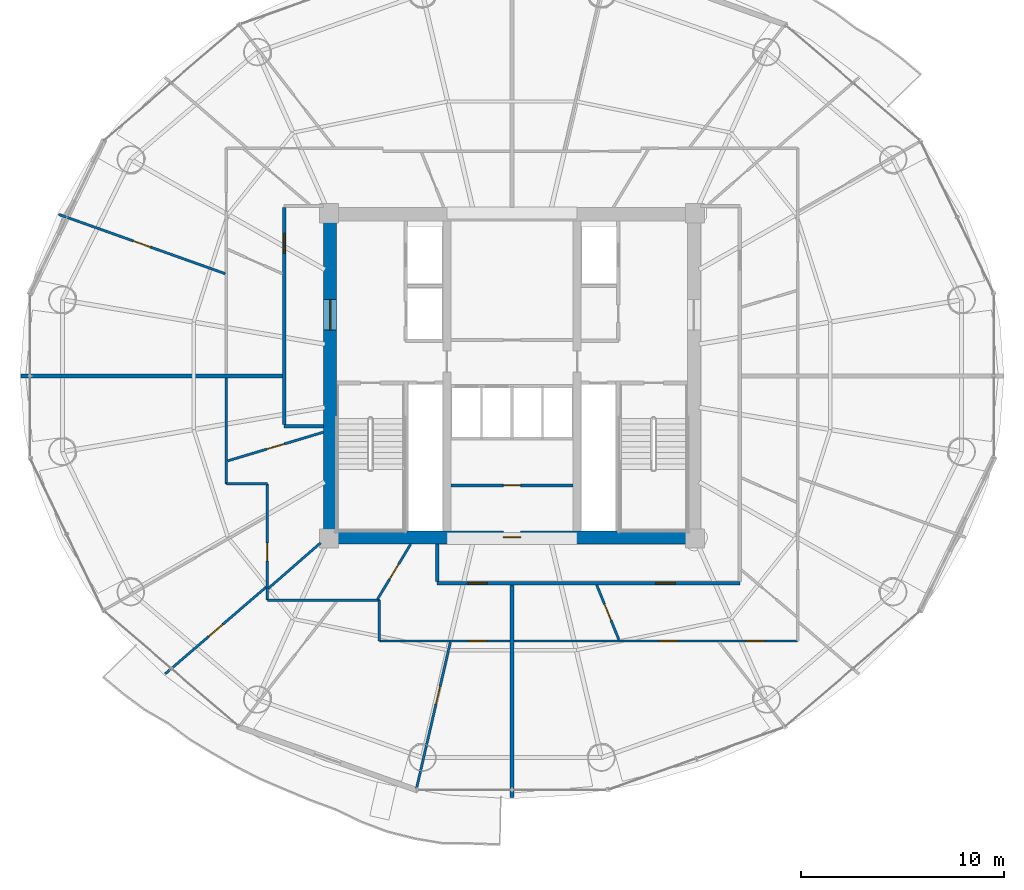
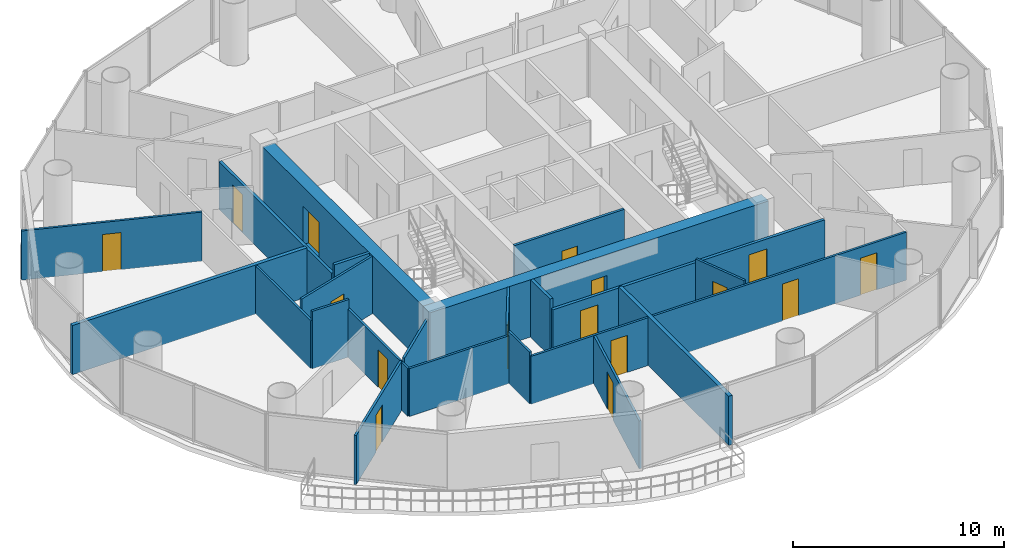
# One storey, part 21 of 27: 23 walls, 16 doors, 16 openings.
"""IFC4 building model written with IfcOpenShell, lengths in metres."""

from ifc_helpers import new_model, si_unit, direction, frame, frame_2d, origin, place, context, subcontext, project, spatial, rectangle, extrude, source, transform, mapped, material, layer, layer_set, type_object, element, fill, save


model = new_model("IFC4")

# Units and contexts
model_context = context("Model", 3, precision=1e-05, world=origin(), true_north=direction((-0.2419218956, 0.970295726276)))
body_context = subcontext(model_context, "Body", "Model", "MODEL_VIEW")
ifc_project = project(units=[si_unit("LENGTHUNIT", "METRE"), si_unit("AREAUNIT", "SQUARE_METRE"), si_unit("VOLUMEUNIT", "CUBIC_METRE"), si_unit("PLANEANGLEUNIT", "RADIAN"), si_unit("MASSUNIT", "GRAM", prefix="KILO")], contexts=[model_context])

# Site, building, storey
site_placement = place(None, origin())
site = spatial("IfcSite", under=ifc_project, at=site_placement, CompositionType="ELEMENT")
building_placement = place(site_placement, origin())
building = spatial("IfcBuilding", under=site, at=building_placement, Name="Cobrevalo Terracotta Tower", CompositionType="ELEMENT")
storey_placement = place(building_placement, frame((0.0, 0.0, 160.60009765625)))
storey = spatial("IfcBuildingStorey", under=building, at=storey_placement, Name="L42", CompositionType="ELEMENT", Elevation=160.60009765625)

# Wall, opening, door
ifc_material_1 = material(Name="Concrete C55", Category="concrete")
ifc_layer_1 = layer(ifc_material_1, 0.64990234375)
ifc_layer_set_1 = layer_set([ifc_layer_1], Name="Concrete C55")
wall_type_1 = type_object("IfcWallType", Name="Core shear wall 650 mm Concrete C55", PredefinedType="SHEAR", material=ifc_layer_set_1)
wall_1_placement = place(storey_placement, frame((28.72509765625, 18.85009765625, 0.0), z_axis=(0.0, 0.0, 1.0), x_axis=(1.0, 0.0, 0.0)))
wall_1 = element("IfcWall", 1, at=wall_1_placement, inside=storey, type_object=wall_type_1, Name="L42 south core shear wall", PredefinedType="SHEAR", context=body_context, shape_type="SweptSolid", body=[
    extrude(rectangle(XDim=18.5498046875, YDim=0.64990234375, at=frame_2d((9.27490234375, 0.0))), origin(), (0.0, 0.0, 1.0), 3.329833984375),
])
opening_1_placement = place(wall_1_placement, frame((8.85009765625, 0.0, 0.0)))
opening_1 = element("IfcOpeningElement", 2, at=opening_1_placement, cuts=wall_1, Name="Opening ID-22", PredefinedType="OPENING", context=body_context, shape_type="SweptSolid", body=[
    extrude(rectangle(XDim=0.85009765625, YDim=2.10009765625, at=frame_2d((0.425048828125, 1.050048828125))), frame((0.0, 0.3349609375, 0.0), z_axis=(0.0, -1.0, 0.0), x_axis=(1.0, 0.0, 0.0)), (0.0, 0.0, 1.0), 0.669921875),
])
ifc_material_2 = material(Name="Powder-coated steel", Category="steel")
door_type_1 = type_object("IfcDoorType", Name="Riser shaft & meter closet fire access door 850x2100 EI 60", OperationType="NOTDEFINED", PredefinedType="DOOR", material=ifc_material_2)
shared_shape_1 = source(origin(), body_context, "Body", "SweptSolid", [
    extrude(rectangle(XDim=0.85009765625, YDim=2.10009765625, at=frame_2d((0.425048828125, 1.050048828125))), frame((0.0, 0.02490234375, 0.0), z_axis=(0.0, -1.0, 0.0), x_axis=(1.0, 0.0, 0.0)), (0.0, 0.0, 1.0), 0.050048828125),
])
door_1_placement = place(opening_1_placement, origin())
door_1 = element("IfcDoor", 3, at=door_1_placement, inside=storey, type_object=door_type_1, Name="L42 core south plant door Smoke Extract Fan Plant", OperationType="SINGLE_SWING_RIGHT", OverallHeight=2.10009765625, OverallWidth=0.85009765625, PredefinedType="DOOR", context=body_context, shape_type="MappedRepresentation", body=[
    mapped(shared_shape_1, transform((0.0, 0.0, 0.0), scale=1.0)),
])
fill(opening_1, door_1)

wall_2_placement = place(storey_placement, frame((29.050048828125, 19.175048828125, 0.0), z_axis=(0.0, 0.0, 1.0), x_axis=(0.0, 1.0, 0.0)))
wall_2 = element("IfcWall", 4, at=wall_2_placement, inside=storey, type_object=wall_type_1, Name="L42 west core shear wall", PredefinedType="SHEAR", context=body_context, shape_type="SweptSolid", body=[
    extrude(rectangle(XDim=15.25, YDim=0.64990234375, at=frame_2d((7.625, 0.0))), origin(), (0.0, 0.0, 1.0), 3.329833984375),
])
opening_2_placement = place(wall_2_placement, frame((9.875, 0.0, 0.0)))
opening_2 = element("IfcOpeningElement", 5, at=opening_2_placement, cuts=wall_2, Name="Opening ID-14", PredefinedType="OPENING", context=body_context, shape_type="SweptSolid", body=[
    extrude(rectangle(XDim=1.5, YDim=2.199951171875, at=frame_2d((0.75, 1.10009765625))), frame((0.0, 0.3349609375, 0.0), z_axis=(0.0, -1.0, 0.0), x_axis=(1.0, 0.0, 0.0)), (0.0, 0.0, 1.0), 0.669921875),
])
ifc_material_3 = material(Name="Galvanized fire-rated steel", Category="steel")
door_type_2 = type_object("IfcDoorType", Name="Core cross-lobby double fire door 1500x2200 EI 90", OperationType="NOTDEFINED", PredefinedType="DOOR", material=ifc_material_3)
shared_shape_2 = source(origin(), body_context, "Body", "SweptSolid", [
    extrude(rectangle(XDim=1.5, YDim=2.199951171875, at=frame_2d((0.75, 1.10009765625))), frame((0.0, 0.02490234375, 0.0), z_axis=(0.0, -1.0, 0.0), x_axis=(1.0, 0.0, 0.0)), (0.0, 0.0, 1.0), 0.050048828125),
])
door_2_placement = place(opening_2_placement, origin())
door_2 = element("IfcDoor", 6, at=door_2_placement, inside=storey, type_object=door_type_2, Name="L42 west firefighting lobby entrance door", OperationType="DOUBLE_DOOR_SINGLE_SWING", OverallHeight=2.199951171875, OverallWidth=1.5, PredefinedType="DOOR", context=body_context, shape_type="MappedRepresentation", body=[
    mapped(shared_shape_2, transform((0.0, 0.0, 0.0), scale=1.0)),
])
fill(opening_2, door_2)

ifc_material_4 = material(Name="Gypsum board on steel stud", Category="steel")
ifc_layer_2 = layer(ifc_material_4, 0.159912109375)
ifc_layer_set_2 = layer_set([ifc_layer_2], Name="Gypsum board on steel stud")
wall_type_2 = type_object("IfcWallType", Name="Fire-rated corridor acoustic partition wall 160 mm", PredefinedType="PARTITIONING", material=ifc_layer_set_2)
wall_3_placement = place(storey_placement, frame((26.794921875, 24.39990234375, 0.0), z_axis=(0.0, 0.0, 1.0), x_axis=(0.0, 1.0, 0.0)))
wall_3 = element("IfcWall", 7, at=wall_3_placement, inside=storey, type_object=wall_type_2, Name="L42 interior partition IW-L42-COR-W", PredefinedType="PARTITIONING", context=body_context, shape_type="SweptSolid", body=[
    extrude(rectangle(XDim=10.675048828125, YDim=0.159912109375, at=frame_2d((5.33740234375, 0.0))), origin(), (0.0, 0.0, 1.0), 2.77587890625),
])
opening_3_placement = place(wall_3_placement, frame((8.422119140625, 0.0, 0.0)))
opening_3 = element("IfcOpeningElement", 8, at=opening_3_placement, cuts=wall_3, Name="Opening ID-05", PredefinedType="OPENING", context=body_context, shape_type="SweptSolid", body=[
    extrude(rectangle(XDim=0.97998046875, YDim=2.199951171875, at=frame_2d((0.489990234375, 1.10009765625))), frame((0.0, 0.08984375, 0.0), z_axis=(0.0, -1.0, 0.0), x_axis=(1.0, 0.0, 0.0)), (0.0, 0.0, 1.0), 0.179931640625),
])
ifc_material_5 = material(Name="Solid hardwood timber", Category="wood")
door_type_3 = type_object("IfcDoorType", Name="Residence entrance fire-rated acoustic timber door 980x2200 EI 60", OperationType="NOTDEFINED", PredefinedType="DOOR", material=ifc_material_5)
shared_shape_3 = source(origin(), body_context, "Body", "SweptSolid", [
    extrude(rectangle(XDim=0.97998046875, YDim=2.199951171875, at=frame_2d((0.489990234375, 1.10009765625))), frame((0.0, 0.02490234375, 0.0), z_axis=(0.0, -1.0, 0.0), x_axis=(1.0, 0.0, 0.0)), (0.0, 0.0, 1.0), 0.050048828125),
])
door_3_placement = place(opening_3_placement, origin())
door_3 = element("IfcDoor", 9, at=door_3_placement, inside=storey, type_object=door_type_3, Name="Flat L42B fire-rated apartment entrance door", OperationType="SINGLE_SWING_RIGHT", OverallHeight=2.199951171875, OverallWidth=0.97998046875, PredefinedType="DOOR", context=body_context, shape_type="MappedRepresentation", body=[
    mapped(shared_shape_3, transform((0.0, 0.0, 0.0), scale=1.0)),
])
fill(opening_3, door_3)

# Wall
wall_4_placement = place(storey_placement, frame((26.794921875, 24.320068359375, 0.0), z_axis=(0.0, 0.0, 1.0), x_axis=(1.0, 0.0, 0.0)))
element("IfcWall", 10, at=wall_4_placement, inside=storey, type_object=wall_type_2, Name="L42 interior partition IW-L42-COR-WS-CAP", PredefinedType="PARTITIONING", context=body_context, shape_type="SweptSolid", body=[
    extrude(rectangle(XDim=1.93017578125, YDim=0.159912109375, at=frame_2d((0.965087890625, 0.0))), origin(), (0.0, 0.0, 1.0), 3.329833984375),
])

# Wall, openings, doors
wall_5_placement = place(storey_placement, frame((34.320068359375, 16.594970703125, 0.0), z_axis=(0.0, 0.0, 1.0), x_axis=(1.0, 0.0, 0.0)))
wall_5 = element("IfcWall", 11, at=wall_5_placement, inside=storey, type_object=wall_type_2, Name="L42 interior partition IW-L42-COR-S", PredefinedType="PARTITIONING", context=body_context, shape_type="SweptSolid", body=[
    extrude(rectangle(XDim=14.885009765625, YDim=0.159912109375, at=frame_2d((7.4423828125, 0.0))), origin(), (0.0, 0.0, 1.0), 2.77587890625),
])
opening_4_placement = place(wall_5_placement, frame((1.484130859375, 0.0, 0.0)))
opening_4 = element("IfcOpeningElement", 12, at=opening_4_placement, cuts=wall_5, Name="Opening ID-05", PredefinedType="OPENING", context=body_context, shape_type="SweptSolid", body=[
    extrude(rectangle(XDim=0.97998046875, YDim=2.199951171875, at=frame_2d((0.489990234375, 1.10009765625))), frame((0.0, 0.08984375, 0.0), z_axis=(0.0, -1.0, 0.0), x_axis=(1.0, 0.0, 0.0)), (0.0, 0.0, 1.0), 0.179931640625),
])
opening_5_placement = place(wall_5_placement, frame((10.740966796875, 0.0, 0.0)))
opening_5 = element("IfcOpeningElement", 13, at=opening_5_placement, cuts=wall_5, Name="Opening ID-05", PredefinedType="OPENING", context=body_context, shape_type="SweptSolid", body=[
    extrude(rectangle(XDim=0.97998046875, YDim=2.199951171875, at=frame_2d((0.489990234375, 1.10009765625))), frame((0.0, 0.08984375, 0.0), z_axis=(0.0, -1.0, 0.0), x_axis=(1.0, 0.0, 0.0)), (0.0, 0.0, 1.0), 0.179931640625),
])
door_4_placement = place(opening_4_placement, frame((0.97998046875, 0.0, 0.0), z_axis=(0.0, 0.0, 1.0), x_axis=(-1.0, 0.0, 0.0)))
door_4 = element("IfcDoor", 14, at=door_4_placement, inside=storey, type_object=door_type_3, Name="Flat L42C fire-rated apartment entrance door", OperationType="SINGLE_SWING_RIGHT", OverallHeight=2.199951171875, OverallWidth=0.97998046875, PredefinedType="DOOR", context=body_context, shape_type="MappedRepresentation", body=[
    mapped(shared_shape_3, transform((0.0, 0.0, 0.0), scale=1.0)),
])
fill(opening_4, door_4)
door_5_placement = place(opening_5_placement, frame((0.97998046875, 0.0, 0.0), z_axis=(0.0, 0.0, 1.0), x_axis=(-1.0, 0.0, 0.0)))
door_5 = element("IfcDoor", 15, at=door_5_placement, inside=storey, type_object=door_type_3, Name="Flat L42D fire-rated apartment entrance door", OperationType="SINGLE_SWING_LEFT", OverallHeight=2.199951171875, OverallWidth=0.97998046875, PredefinedType="DOOR", context=body_context, shape_type="MappedRepresentation", body=[
    mapped(shared_shape_3, transform((0.0, 0.0, 0.0), scale=1.0)),
])
fill(opening_5, door_5)

# Walls
wall_6_placement = place(storey_placement, frame((34.320068359375, 16.675048828125, 0.0), z_axis=(0.0, 0.0, 1.0), x_axis=(0.0, 1.0, 0.0)))
element("IfcWall", 16, at=wall_6_placement, inside=storey, type_object=wall_type_2, Name="L42 interior partition IW-L42-COR-SW-CAP", PredefinedType="PARTITIONING", context=body_context, shape_type="SweptSolid", body=[
    extrude(rectangle(XDim=1.849853515625, YDim=0.159912109375, at=frame_2d((0.9248046875, 0.0))), origin(), (0.0, 0.0, 1.0), 3.329833984375),
])
ifc_material_6 = material(Name="Autoclaved aerated concrete block", Category="concrete")
ifc_layer_3 = layer(ifc_material_6, 0.199951171875)
ifc_layer_set_3 = layer_set([ifc_layer_3], Name="Autoclaved aerated concrete block")
wall_type_3 = type_object("IfcWallType", Name="Fire-rated stair, shaft & demising masonry wall 200 mm", PredefinedType="PARTITIONING", material=ifc_layer_set_3)
wall_7_placement = place(storey_placement, frame((26.715087890625, 26.800048828125, 0.0), z_axis=(0.0, 0.0, 1.0), x_axis=(-1.0, 0.0, 0.0)))
element("IfcWall", 17, at=wall_7_placement, inside=storey, type_object=wall_type_3, Name="L42 interior partition IW-L42-DEM-3", PredefinedType="PARTITIONING", context=body_context, shape_type="SweptSolid", body=[
    extrude(rectangle(XDim=12.85498046875, YDim=0.199951171875, at=frame_2d((6.427490234375, 0.0))), origin(), (0.0, 0.0, 1.0), 2.845947265625),
])
wall_8_placement = place(storey_placement, frame((38.0, 16.514892578125, 0.0), z_axis=(0.0, 0.0, 1.0), x_axis=(0.0, -1.0, 0.0)))
element("IfcWall", 18, at=wall_8_placement, inside=storey, type_object=wall_type_3, Name="L42 interior partition IW-L42-DEM-4", PredefinedType="PARTITIONING", context=body_context, shape_type="SweptSolid", body=[
    extrude(rectangle(XDim=10.454833984375, YDim=0.199951171875, at=frame_2d((5.2275390625, 0.0))), origin(), (0.0, 0.0, 1.0), 2.845947265625),
])

# Wall, opening, door
ifc_layer_4 = layer(ifc_material_6, 0.139892578125)
ifc_layer_set_4 = layer_set([ifc_layer_4], Name="Autoclaved aerated concrete block")
wall_type_4 = type_object("IfcWallType", Name="Moisture-resistant wet-room & core service partition 140 mm", PredefinedType="PARTITIONING", material=ifc_layer_set_4)
wall_9_placement = place(storey_placement, frame((34.989990234375, 21.407470703125, 0.0), z_axis=(0.0, 0.0, 1.0), x_axis=(1.0, 0.0, 0.0)))
wall_9 = element("IfcWall", 19, at=wall_9_placement, inside=storey, type_object=wall_type_4, Name="L42 interior partition IW-L42-KVS-H", PredefinedType="PARTITIONING", context=body_context, shape_type="SweptSolid", body=[
    extrude(rectangle(XDim=6.02001953125, YDim=0.139892578125, at=frame_2d((3.010009765625, 0.0))), origin(), (0.0, 0.0, 1.0), 3.329833984375),
])
opening_6_placement = place(wall_9_placement, frame((2.5849609375, 0.0, 0.0)))
opening_6 = element("IfcOpeningElement", 20, at=opening_6_placement, cuts=wall_9, Name="Opening ID-22", PredefinedType="OPENING", context=body_context, shape_type="SweptSolid", body=[
    extrude(rectangle(XDim=0.85009765625, YDim=2.10009765625, at=frame_2d((0.425048828125, 1.050048828125))), frame((0.0, 0.080078125, 0.0), z_axis=(0.0, -1.0, 0.0), x_axis=(1.0, 0.0, 0.0)), (0.0, 0.0, 1.0), 0.159912109375),
])
door_6_placement = place(opening_6_placement, origin())
door_6 = element("IfcDoor", 21, at=door_6_placement, inside=storey, type_object=door_type_1, Name="L42 core manifold inner door", OperationType="SINGLE_SWING_LEFT", OverallHeight=2.10009765625, OverallWidth=0.85009765625, PredefinedType="DOOR", context=body_context, shape_type="MappedRepresentation", body=[
    mapped(shared_shape_1, transform((0.0, 0.0, 0.0), scale=1.0)),
])
fill(opening_6, door_6)

ifc_layer_5 = layer(ifc_material_4, 0.1201171875)
ifc_layer_set_5 = layer_set([ifc_layer_5], Name="Gypsum board on steel stud")
wall_type_5 = type_object("IfcWallType", Name="Residential internal acoustic stud partition 120 mm", PredefinedType="PARTITIONING", material=ifc_layer_set_5)
wall_10_placement = place(storey_placement, frame((23.896484375, 31.821044921875, 0.0), z_axis=(0.0, 0.0, 1.0), x_axis=(-0.942072876428, 0.335408251983, 0.0)))
wall_10 = element("IfcWall", 22, at=wall_10_placement, inside=storey, type_object=wall_type_5, Name="L42 interior partition IW-L42-U2-ORAD2", PredefinedType="PARTITIONING", context=body_context, shape_type="SweptSolid", body=[
    extrude(rectangle(XDim=8.69970703125, YDim=0.1201171875, at=frame_2d((4.349853515625, 0.0))), origin(), (0.0, 0.0, 1.0), 2.845947265625),
])
opening_7_placement = place(wall_10_placement, frame((3.89990234375, 0.0, 0.0)))
opening_7 = element("IfcOpeningElement", 23, at=opening_7_placement, cuts=wall_10, Name="Opening ID-12", PredefinedType="OPENING", context=body_context, shape_type="SweptSolid", body=[
    extrude(rectangle(XDim=0.89990234375, YDim=2.14990234375, at=frame_2d((0.449951171875, 1.074951171875))), frame((0.0, 0.070068359375, 0.0), z_axis=(0.0, -1.0, 0.0), x_axis=(1.0, 0.0, 0.0)), (0.0, 0.0, 1.0), 0.14013671875),
])
ifc_material_7 = material(Name="Engineered timber", Category="wood")
door_type_4 = type_object("IfcDoorType", Name="Internal residence & suite timber door 900x2150", OperationType="NOTDEFINED", PredefinedType="DOOR", material=ifc_material_7)
shared_shape_4 = source(origin(), body_context, "Body", "SweptSolid", [
    extrude(rectangle(XDim=0.89990234375, YDim=2.14990234375, at=frame_2d((0.449951171875, 1.074951171875))), frame((0.0, 0.02490234375, 0.0), z_axis=(0.0, -1.0, 0.0), x_axis=(1.0, 0.0, 0.0)), (0.0, 0.0, 1.0), 0.050048828125),
])
door_7_placement = place(opening_7_placement, origin())
door_7 = element("IfcDoor", 24, at=door_7_placement, inside=storey, type_object=door_type_4, Name="Flat L42B Penthouse Family Lounge internal door", OperationType="SINGLE_SWING_LEFT", OverallHeight=2.14990234375, OverallWidth=0.89990234375, PredefinedType="DOOR", context=body_context, shape_type="MappedRepresentation", body=[
    mapped(shared_shape_4, transform((0.0, 0.0, 0.0), scale=1.0)),
])
fill(opening_7, door_7)

wall_11_placement = place(storey_placement, frame((37.89794921875, 13.7548828125, 0.0), z_axis=(0.0, 0.0, 1.0), x_axis=(-1.0, 0.0, 0.0)))
wall_11 = element("IfcWall", 25, at=wall_11_placement, inside=storey, type_object=wall_type_5, Name="L42 interior partition IW-L42-U3-RING0_0", PredefinedType="PARTITIONING", context=body_context, shape_type="SweptSolid", body=[
    extrude(rectangle(XDim=6.41796875, YDim=0.1201171875, at=frame_2d((3.208984375, 0.0))), origin(), (0.0, 0.0, 1.0), 2.77587890625),
])
opening_8_placement = place(wall_11_placement, frame((1.131591796875, 0.0, 0.0)))
opening_8 = element("IfcOpeningElement", 26, at=opening_8_placement, cuts=wall_11, Name="Opening ID-12", PredefinedType="OPENING", context=body_context, shape_type="SweptSolid", body=[
    extrude(rectangle(XDim=0.89990234375, YDim=2.14990234375, at=frame_2d((0.449951171875, 1.074951171875))), frame((0.0, 0.070068359375, 0.0), z_axis=(0.0, -1.0, 0.0), x_axis=(1.0, 0.0, 0.0)), (0.0, 0.0, 1.0), 0.14013671875),
])
door_8_placement = place(opening_8_placement, origin())
door_8 = element("IfcDoor", 27, at=door_8_placement, inside=storey, type_object=door_type_4, Name="Flat L42C Penthouse Family Lounge internal door", OperationType="SINGLE_SWING_RIGHT", OverallHeight=2.14990234375, OverallWidth=0.89990234375, PredefinedType="DOOR", context=body_context, shape_type="MappedRepresentation", body=[
    mapped(shared_shape_4, transform((0.0, 0.0, 0.0), scale=1.0)),
])
fill(opening_8, door_8)

# Walls
wall_12_placement = place(storey_placement, frame((31.47998046875, 13.7548828125, 0.0), z_axis=(0.0, 0.0, 1.0), x_axis=(0.0, 1.0, 0.0)))
element("IfcWall", 28, at=wall_12_placement, inside=storey, type_object=wall_type_5, Name="L42 interior partition IW-L42-U3-RING1_0", PredefinedType="PARTITIONING", context=body_context, shape_type="SweptSolid", body=[
    extrude(rectangle(XDim=2.010009765625, YDim=0.1201171875, at=frame_2d((1.0048828125, 0.0))), origin(), (0.0, 0.0, 1.0), 3.0048828125),
])
wall_13_placement = place(storey_placement, frame((31.47998046875, 15.764892578125, 0.0), z_axis=(0.0, 0.0, 1.0), x_axis=(-1.0, 0.0, 0.0)))
element("IfcWall", 29, at=wall_13_placement, inside=storey, type_object=wall_type_5, Name="L42 interior partition IW-L42-U3-RING2_0", PredefinedType="PARTITIONING", context=body_context, shape_type="SweptSolid", body=[
    extrude(rectangle(XDim=5.514892578125, YDim=0.1201171875, at=frame_2d((2.75732421875, 0.0))), origin(), (0.0, 0.0, 1.0), 2.77587890625),
])

# Wall, opening, door
wall_14_placement = place(storey_placement, frame((25.965087890625, 15.764892578125, 0.0), z_axis=(0.0, 0.0, 1.0), x_axis=(0.0, 1.0, 0.0)))
wall_14 = element("IfcWall", 30, at=wall_14_placement, inside=storey, type_object=wall_type_5, Name="L42 interior partition IW-L42-U3-RING3_0", PredefinedType="PARTITIONING", context=body_context, shape_type="SweptSolid", body=[
    extrude(rectangle(XDim=5.715087890625, YDim=0.1201171875, at=frame_2d((2.857421875, 0.0))), origin(), (0.0, 0.0, 1.0), 2.77587890625),
])
opening_9_placement = place(wall_14_placement, frame((1.918701171875, 0.0, 0.0)))
opening_9 = element("IfcOpeningElement", 31, at=opening_9_placement, cuts=wall_14, Name="Opening ID-12", PredefinedType="OPENING", context=body_context, shape_type="SweptSolid", body=[
    extrude(rectangle(XDim=0.89990234375, YDim=2.14990234375, at=frame_2d((0.449951171875, 1.074951171875))), frame((0.0, 0.070068359375, 0.0), z_axis=(0.0, -1.0, 0.0), x_axis=(1.0, 0.0, 0.0)), (0.0, 0.0, 1.0), 0.14013671875),
])
door_9_placement = place(opening_9_placement, frame((0.89990234375, 0.0, 0.0), z_axis=(0.0, 0.0, 1.0), x_axis=(-1.0, 0.0, 0.0)))
door_9 = element("IfcDoor", 32, at=door_9_placement, inside=storey, type_object=door_type_4, Name="Flat L42C Kitchen internal door", OperationType="SINGLE_SWING_LEFT", OverallHeight=2.14990234375, OverallWidth=0.89990234375, PredefinedType="DOOR", context=body_context, shape_type="MappedRepresentation", body=[
    mapped(shared_shape_4, transform((0.0, 0.0, 0.0), scale=1.0)),
])
fill(opening_9, door_9)

# Walls
wall_15_placement = place(storey_placement, frame((25.965087890625, 21.47998046875, 0.0), z_axis=(0.0, 0.0, 1.0), x_axis=(-1.0, 0.0, 0.0)))
element("IfcWall", 33, at=wall_15_placement, inside=storey, type_object=wall_type_5, Name="L42 interior partition IW-L42-U3-RING4_0", PredefinedType="PARTITIONING", context=body_context, shape_type="SweptSolid", body=[
    extrude(rectangle(XDim=2.010009765625, YDim=0.1201171875, at=frame_2d((1.0048828125, 0.0))), origin(), (0.0, 0.0, 1.0), 3.329833984375),
])
wall_16_placement = place(storey_placement, frame((23.955078125, 21.47998046875, 0.0), z_axis=(0.0, 0.0, 1.0), x_axis=(0.0, 1.0, 0.0)))
element("IfcWall", 34, at=wall_16_placement, inside=storey, type_object=wall_type_5, Name="L42 interior partition IW-L42-U3-RING5_0", PredefinedType="PARTITIONING", context=body_context, shape_type="SweptSolid", body=[
    extrude(rectangle(XDim=5.218017578125, YDim=0.1201171875, at=frame_2d((2.60888671875, 0.0))), origin(), (0.0, 0.0, 1.0), 2.77587890625),
])

# Wall, opening, door
wall_17_placement = place(storey_placement, frame((25.91796875, 16.41552734375, 0.0), z_axis=(0.0, 0.0, 1.0), x_axis=(-0.758356041353, -0.651840559142, 0.0)))
wall_17 = element("IfcWall", 35, at=wall_17_placement, inside=storey, type_object=wall_type_5, Name="L42 interior partition IW-L42-U3-ORAD2", PredefinedType="PARTITIONING", context=body_context, shape_type="SweptSolid", body=[
    extrude(rectangle(XDim=6.569091796875, YDim=0.1201171875, at=frame_2d((3.28466796875, 0.0))), origin(), (0.0, 0.0, 1.0), 2.845947265625),
])
opening_10_placement = place(wall_17_placement, frame((2.83447265625, 0.0, 0.0)))
opening_10 = element("IfcOpeningElement", 36, at=opening_10_placement, cuts=wall_17, Name="Opening ID-12", PredefinedType="OPENING", context=body_context, shape_type="SweptSolid", body=[
    extrude(rectangle(XDim=0.89990234375, YDim=2.14990234375, at=frame_2d((0.449951171875, 1.074951171875))), frame((0.0, 0.070068359375, 0.0), z_axis=(0.0, -1.0, 0.0), x_axis=(1.0, 0.0, 0.0)), (0.0, 0.0, 1.0), 0.14013671875),
])
door_10_placement = place(opening_10_placement, frame((0.89990234375, 0.0, 0.0), z_axis=(0.0, 0.0, 1.0), x_axis=(-1.0, 0.0, 0.0)))
door_10 = element("IfcDoor", 37, at=door_10_placement, inside=storey, type_object=door_type_4, Name="Flat L42C Master Bedroom internal door", OperationType="SINGLE_SWING_LEFT", OverallHeight=2.14990234375, OverallWidth=0.89990234375, PredefinedType="DOOR", context=body_context, shape_type="MappedRepresentation", body=[
    mapped(shared_shape_4, transform((0.0, 0.0, 0.0), scale=1.0)),
])
fill(opening_10, door_10)

wall_18_placement = place(storey_placement, frame((34.967041015625, 13.694580078125, 0.0), z_axis=(0.0, 0.0, 1.0), x_axis=(-0.225458405801, -0.974252794327, 0.0)))
wall_18 = element("IfcWall", 38, at=wall_18_placement, inside=storey, type_object=wall_type_5, Name="L42 interior partition IW-L42-U3-ORAD3", PredefinedType="PARTITIONING", context=body_context, shape_type="SweptSolid", body=[
    extrude(rectangle(XDim=7.383056640625, YDim=0.1201171875, at=frame_2d((3.69140625, 0.0))), origin(), (0.0, 0.0, 1.0), 2.77587890625),
])
opening_11_placement = place(wall_18_placement, frame((2.23193359375, 0.0, 0.0)))
opening_11 = element("IfcOpeningElement", 39, at=opening_11_placement, cuts=wall_18, Name="Opening ID-12", PredefinedType="OPENING", context=body_context, shape_type="SweptSolid", body=[
    extrude(rectangle(XDim=0.89990234375, YDim=2.14990234375, at=frame_2d((0.449951171875, 1.074951171875))), frame((0.0, 0.070068359375, 0.0), z_axis=(0.0, -1.0, 0.0), x_axis=(1.0, 0.0, 0.0)), (0.0, 0.0, 1.0), 0.14013671875),
])
door_11_placement = place(opening_11_placement, frame((0.89990234375, 0.0, 0.0), z_axis=(0.0, 0.0, 1.0), x_axis=(-1.0, 0.0, 0.0)))
door_11 = element("IfcDoor", 40, at=door_11_placement, inside=storey, type_object=door_type_4, Name="Flat L42C Principal Guest Bedroom internal door", OperationType="SINGLE_SWING_LEFT", OverallHeight=2.14990234375, OverallWidth=0.89990234375, PredefinedType="DOOR", context=body_context, shape_type="MappedRepresentation", body=[
    mapped(shared_shape_4, transform((0.0, 0.0, 0.0), scale=1.0)),
])
fill(opening_11, door_11)

wall_19_placement = place(storey_placement, frame((28.72314453125, 24.024658203125, 0.0), z_axis=(0.0, 0.0, 1.0), x_axis=(-0.958046115523, -0.286614096882, 0.0)))
wall_19 = element("IfcWall", 41, at=wall_19_placement, inside=storey, type_object=wall_type_5, Name="L42 interior partition IW-L42-U3-IRAD1", PredefinedType="PARTITIONING", context=body_context, shape_type="SweptSolid", body=[
    extrude(rectangle(XDim=4.9150390625, YDim=0.1201171875, at=frame_2d((2.45751953125, 0.0))), origin(), (0.0, 0.0, 1.0), 3.329833984375),
])
opening_12_placement = place(wall_19_placement, frame((2.00732421875, 0.0, 0.0)))
opening_12 = element("IfcOpeningElement", 42, at=opening_12_placement, cuts=wall_19, Name="Opening ID-12", PredefinedType="OPENING", context=body_context, shape_type="SweptSolid", body=[
    extrude(rectangle(XDim=0.89990234375, YDim=2.14990234375, at=frame_2d((0.449951171875, 1.074951171875))), frame((0.0, 0.070068359375, 0.0), z_axis=(0.0, -1.0, 0.0), x_axis=(1.0, 0.0, 0.0)), (0.0, 0.0, 1.0), 0.14013671875),
])
door_12_placement = place(opening_12_placement, frame((0.89990234375, 0.0, 0.0), z_axis=(0.0, 0.0, 1.0), x_axis=(-1.0, 0.0, 0.0)))
door_12 = element("IfcDoor", 43, at=door_12_placement, inside=storey, type_object=door_type_4, Name="Flat L42C Private Library Meeting Room internal door", OperationType="SINGLE_SWING_RIGHT", OverallHeight=2.14990234375, OverallWidth=0.89990234375, PredefinedType="DOOR", context=body_context, shape_type="MappedRepresentation", body=[
    mapped(shared_shape_4, transform((0.0, 0.0, 0.0), scale=1.0)),
])
fill(opening_12, door_12)

# Wall
wall_20_placement = place(storey_placement, frame((28.58837890625, 18.585205078125, 0.0), z_axis=(0.0, 0.0, 1.0), x_axis=(-0.753380933673, -0.657584343471, 0.0)))
element("IfcWall", 44, at=wall_20_placement, inside=storey, type_object=wall_type_5, Name="L42 interior partition IW-L42-U3-IRAD2", PredefinedType="PARTITIONING", context=body_context, shape_type="SweptSolid", body=[
    extrude(rectangle(XDim=3.420166015625, YDim=0.1201171875, at=frame_2d((1.7099609375, 0.0))), origin(), (0.0, 0.0, 1.0), 3.0048828125),
])

# Wall, opening, door
wall_21_placement = place(storey_placement, frame((33.01953125, 18.52490234375, 0.0), z_axis=(0.0, 0.0, 1.0), x_axis=(-0.515677168, -0.856782970421, 0.0)))
wall_21 = element("IfcWall", 45, at=wall_21_placement, inside=storey, type_object=wall_type_5, Name="L42 interior partition IW-L42-U3-IRAD3", PredefinedType="PARTITIONING", context=body_context, shape_type="SweptSolid", body=[
    extrude(rectangle(XDim=3.1591796875, YDim=0.1201171875, at=frame_2d((1.57958984375, 0.0))), origin(), (0.0, 0.0, 1.0), 3.329833984375),
])
opening_13_placement = place(wall_21_placement, frame((1.149658203125, 0.0, 0.0)))
opening_13 = element("IfcOpeningElement", 46, at=opening_13_placement, cuts=wall_21, Name="Opening ID-19", PredefinedType="OPENING", context=body_context, shape_type="SweptSolid", body=[
    extrude(rectangle(XDim=0.860107421875, YDim=2.14990234375, at=frame_2d((0.43017578125, 1.074951171875))), frame((0.0, 0.070068359375, 0.0), z_axis=(0.0, -1.0, 0.0), x_axis=(1.0, 0.0, 0.0)), (0.0, 0.0, 1.0), 0.14013671875),
])
ifc_material_8 = material(Name="Moisture-sealed timber", Category="wood")
door_type_5 = type_object("IfcDoorType", Name="Suite bathroom internal timber door 860x2150", OperationType="NOTDEFINED", PredefinedType="DOOR", material=ifc_material_8)
shared_shape_5 = source(origin(), body_context, "Body", "SweptSolid", [
    extrude(rectangle(XDim=0.860107421875, YDim=2.14990234375, at=frame_2d((0.43017578125, 1.074951171875))), frame((0.0, 0.02490234375, 0.0), z_axis=(0.0, -1.0, 0.0), x_axis=(1.0, 0.0, 0.0)), (0.0, 0.0, 1.0), 0.050048828125),
])
door_13_placement = place(opening_13_placement, frame((0.860107421875, 0.0, 0.0), z_axis=(0.0, 0.0, 1.0), x_axis=(-1.0, 0.0, 0.0)))
door_13 = element("IfcDoor", 47, at=door_13_placement, inside=storey, type_object=door_type_5, Name="Flat L42C Primary Bathroom internal door", OperationType="SINGLE_SWING_LEFT", OverallHeight=2.14990234375, OverallWidth=0.860107421875, PredefinedType="DOOR", context=body_context, shape_type="MappedRepresentation", body=[
    mapped(shared_shape_5, transform((0.0, 0.0, 0.0), scale=1.0)),
])
fill(opening_13, door_13)

# Wall, openings, doors
wall_22_placement = place(storey_placement, frame((52.044921875, 13.7548828125, 0.0), z_axis=(0.0, 0.0, 1.0), x_axis=(-1.0, 0.0, 0.0)))
wall_22 = element("IfcWall", 48, at=wall_22_placement, inside=storey, type_object=wall_type_5, Name="L42 interior partition IW-L42-U4-RING1_0", PredefinedType="PARTITIONING", context=body_context, shape_type="SweptSolid", body=[
    extrude(rectangle(XDim=13.94287109375, YDim=0.1201171875, at=frame_2d((6.971435546875, 0.0))), origin(), (0.0, 0.0, 1.0), 2.77587890625),
])
opening_14_placement = place(wall_22_placement, frame((5.900390625, 0.0, 0.0)))
opening_14 = element("IfcOpeningElement", 49, at=opening_14_placement, cuts=wall_22, Name="Opening ID-12", PredefinedType="OPENING", context=body_context, shape_type="SweptSolid", body=[
    extrude(rectangle(XDim=0.89990234375, YDim=2.14990234375, at=frame_2d((0.449951171875, 1.074951171875))), frame((0.0, 0.070068359375, 0.0), z_axis=(0.0, -1.0, 0.0), x_axis=(1.0, 0.0, 0.0)), (0.0, 0.0, 1.0), 0.14013671875),
])
opening_15_placement = place(wall_22_placement, frame((1.621826171875, 0.0, 0.0)))
opening_15 = element("IfcOpeningElement", 50, at=opening_15_placement, cuts=wall_22, Name="Opening ID-12", PredefinedType="OPENING", context=body_context, shape_type="SweptSolid", body=[
    extrude(rectangle(XDim=0.89990234375, YDim=2.14990234375, at=frame_2d((0.449951171875, 1.074951171875))), frame((0.0, 0.070068359375, 0.0), z_axis=(0.0, -1.0, 0.0), x_axis=(1.0, 0.0, 0.0)), (0.0, 0.0, 1.0), 0.14013671875),
])
door_14_placement = place(opening_14_placement, origin())
door_14 = element("IfcDoor", 51, at=door_14_placement, inside=storey, type_object=door_type_4, Name="Flat L42D Living and Dining Room internal door", OperationType="SINGLE_SWING_LEFT", OverallHeight=2.14990234375, OverallWidth=0.89990234375, PredefinedType="DOOR", context=body_context, shape_type="MappedRepresentation", body=[
    mapped(shared_shape_4, transform((0.0, 0.0, 0.0), scale=1.0)),
])
fill(opening_14, door_14)
door_15_placement = place(opening_15_placement, origin())
door_15 = element("IfcDoor", 52, at=door_15_placement, inside=storey, type_object=door_type_4, Name="Flat L42D Master Bedroom internal door", OperationType="SINGLE_SWING_RIGHT", OverallHeight=2.14990234375, OverallWidth=0.89990234375, PredefinedType="DOOR", context=body_context, shape_type="MappedRepresentation", body=[
    mapped(shared_shape_4, transform((0.0, 0.0, 0.0), scale=1.0)),
])
fill(opening_15, door_15)

# Wall, opening, door
wall_23_placement = place(storey_placement, frame((42.1650390625, 16.514892578125, 0.0), z_axis=(0.0, 0.0, 1.0), x_axis=(0.375386324206, -0.926868441365, 0.0)))
wall_23 = element("IfcWall", 53, at=wall_23_placement, inside=storey, type_object=wall_type_5, Name="L42 interior partition IW-L42-U4-IRAD1", PredefinedType="PARTITIONING", context=body_context, shape_type="SweptSolid", body=[
    extrude(rectangle(XDim=2.91552734375, YDim=0.1201171875, at=frame_2d((1.457763671875, 0.0))), origin(), (0.0, 0.0, 1.0), 3.0048828125),
])
opening_16_placement = place(wall_23_placement, frame((1.02783203125, 0.0, 0.0)))
opening_16 = element("IfcOpeningElement", 54, at=opening_16_placement, cuts=wall_23, Name="Opening ID-19", PredefinedType="OPENING", context=body_context, shape_type="SweptSolid", body=[
    extrude(rectangle(XDim=0.860107421875, YDim=2.14990234375, at=frame_2d((0.43017578125, 1.074951171875))), frame((0.0, 0.070068359375, 0.0), z_axis=(0.0, -1.0, 0.0), x_axis=(1.0, 0.0, 0.0)), (0.0, 0.0, 1.0), 0.14013671875),
])
door_16_placement = place(opening_16_placement, frame((0.860107421875, 0.0, 0.0), z_axis=(0.0, 0.0, 1.0), x_axis=(-1.0, 0.0, 0.0)))
door_16 = element("IfcDoor", 55, at=door_16_placement, inside=storey, type_object=door_type_5, Name="Flat L42D Primary Bathroom internal door", OperationType="SINGLE_SWING_RIGHT", OverallHeight=2.14990234375, OverallWidth=0.860107421875, PredefinedType="DOOR", context=body_context, shape_type="MappedRepresentation", body=[
    mapped(shared_shape_5, transform((0.0, 0.0, 0.0), scale=1.0)),
])
fill(opening_16, door_16)

save(model, "model.ifc")
